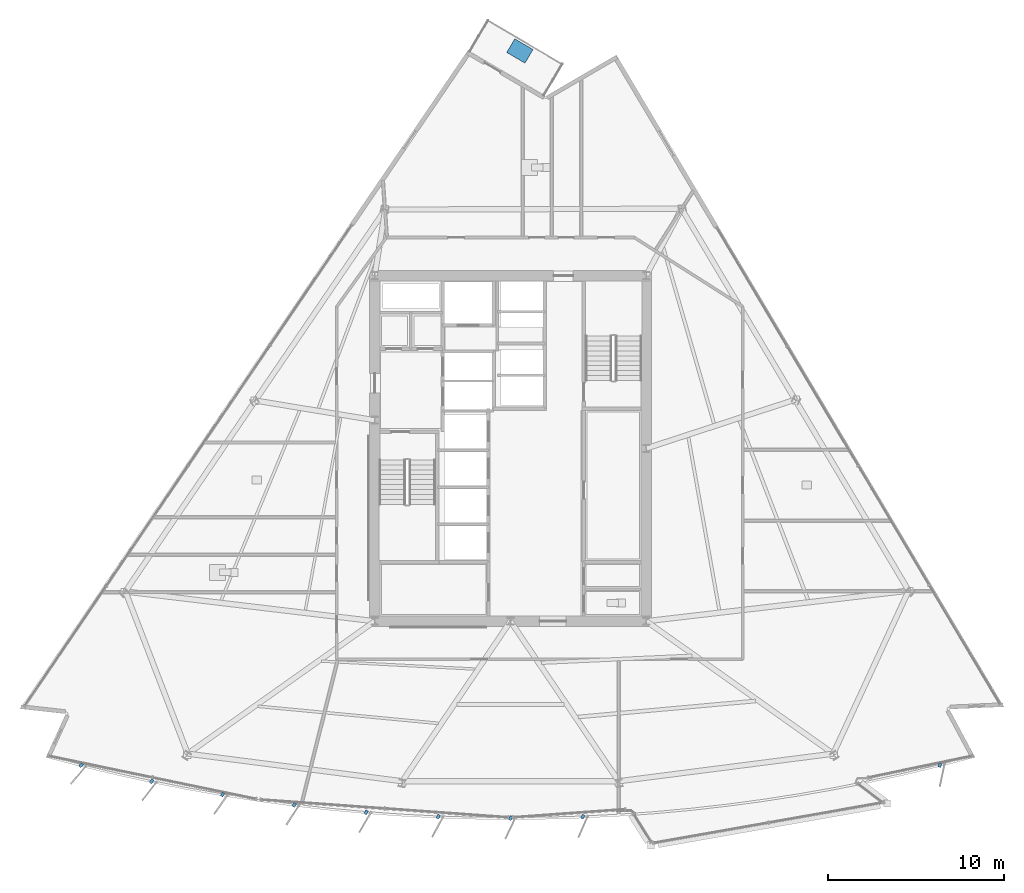
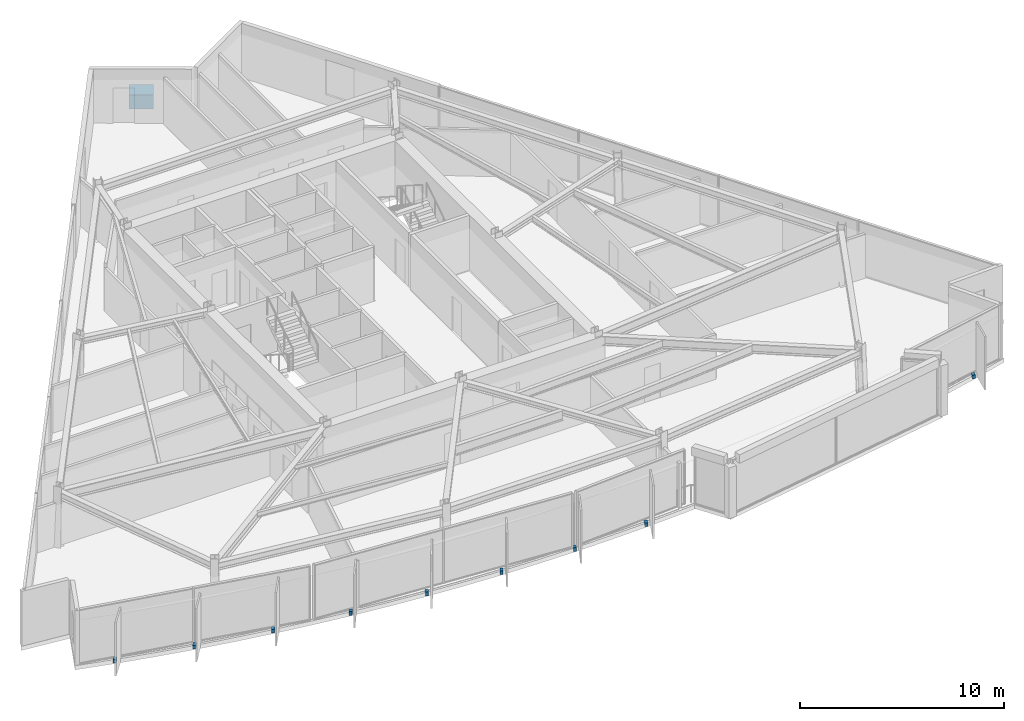
# One storey, part 10 of 15: 10 discrete accessories.
"""IFC4 building model written with IfcOpenShell, lengths in metres."""

from ifc_helpers import new_model, si_unit, direction, frame, origin, origin_2d, place, context, subcontext, project, spatial, rectangle, extrude, material, type_object, element, save


model = new_model("IFC4")

# Units and contexts
model_context = context("Model", 3, precision=1e-05, world=origin(), true_north=direction((0.0, 1.0)))
body_context = subcontext(model_context, "Body", "Model", "MODEL_VIEW")
ifc_project = project(units=[si_unit("LENGTHUNIT", "METRE"), si_unit("AREAUNIT", "SQUARE_METRE"), si_unit("VOLUMEUNIT", "CUBIC_METRE"), si_unit("PLANEANGLEUNIT", "RADIAN"), si_unit("MASSUNIT", "GRAM", prefix="KILO")], contexts=[model_context])

# Site, building, storey
site_placement = place(None, origin())
site = spatial("IfcSite", under=ifc_project, at=site_placement, CompositionType="ELEMENT")
building_placement = place(site_placement, origin())
building = spatial("IfcBuilding", under=site, at=building_placement, Name="Savorim Split Tower", CompositionType="ELEMENT")
storey_placement = place(building_placement, frame((0.0, 0.0, 125.699951171875)))
storey = spatial("IfcBuildingStorey", under=building, at=storey_placement, Name="L33", CompositionType="ELEMENT", Elevation=125.699951171875)

# Discrete accessories
ifc_material_1 = material(Name="Steel S355", Category="steel")
discrete_accessory_type_1 = type_object("IfcDiscreteAccessoryType", Name="ACC-BRK-FIN", PredefinedType="BRACKET", material=ifc_material_1)
for number, where, z_axis, x_axis, name in (
    (1, (-24.35107421875, -17.566162109375, -0.18994140625), (0.0, 0.0, 1.0), (-0.643719022682, -0.765261928909, 0.0), "L33 Fin Slab-Edge Cleat Bracket 01"),
    (2, (-20.355224609375, -18.481201171875, -0.18994140625), (0.0, 0.0, 1.0), (-0.611868076908, -0.790959832394, 0.0), "L33 Fin Slab-Edge Cleat Bracket 02"),
    (3, (-16.3251953125, -19.23193359375, -0.18994140625), (0.0, 0.0, 1.0), (-0.578993757737, -0.815331974414, 0.0), "L33 Fin Slab-Edge Cleat Bracket 03"),
    (4, (-12.267822265625, -19.817138671875, -0.18994140625), (0.0, 0.0, 1.0), (-0.545148321708, -0.838339613366, 0.0), "L33 Fin Slab-Edge Cleat Bracket 04"),
    (5, (-8.18994140625, -20.23583984375, -0.18994140625), (0.0, 0.0, 1.0), (-0.510391336723, -0.859942255851, 0.0), "L33 Fin Slab-Edge Cleat Bracket 05"),
    (6, (-4.098388671875, -20.4873046875, -0.18994140625), (0.0, 0.0, 1.0), (-0.474778051978, -0.880105562623, 0.0), "L33 Fin Slab-Edge Cleat Bracket 06"),
    (7, (0.0, -20.5712890625, -0.18994140625), (0.0, 0.0, 1.0), (-0.438371146789, -0.898794046299, 0.0), "L33 Fin Slab-Edge Cleat Bracket 07"),
    (8, (4.098388671875, -20.4873046875, -0.18994140625), (0.0, 0.0, 1.0), (-0.401230091723, -0.915977299662, 0.0), "L33 Fin Slab-Edge Cleat Bracket 08"),
    (9, (24.35107421875, -17.566162109375, -0.18994140625), (0.0, 0.0, 1.0), (-0.206721626106, -0.978399800337, 0.0), "L33 Fin Slab-Edge Cleat Bracket 13"),
):
    element("IfcDiscreteAccessory", number, at=place(storey_placement, frame(where, z_axis=z_axis, x_axis=x_axis)), inside=storey, type_object=discrete_accessory_type_1, Name=name, PredefinedType="BRACKET", context=body_context, shape_type="SweptSolid", body=[
        extrude(rectangle(XDim=0.239990234375, YDim=0.159912109375, at=origin_2d()), origin(), (0.0, 0.0, 1.0), 0.219970703125),
    ])
ifc_material_2 = material(Name="Architectural Precast Planter Concrete C40/50", Category="concrete")
discrete_accessory_type_2 = type_object("IfcDiscreteAccessoryType", Name="ACC-PLN-TREE", PredefinedType="USERDEFINED", material=ifc_material_2)
discrete_accessory_placement = place(storey_placement, frame((0.531982421875, 22.939208984375, 0.0), z_axis=(0.0, 0.0, 1.0), x_axis=(-0.862129230606, 0.506688454313, 0.0)))
element("IfcDiscreteAccessory", 10, at=discrete_accessory_placement, inside=storey, type_object=discrete_accessory_type_2, Name="L33 Balcony Precast Tree Planter N", ObjectType="PLANTER", PredefinedType="USERDEFINED", context=body_context, shape_type="SweptSolid", body=[
    extrude(rectangle(XDim=1.199951171875, YDim=0.89990234375, at=origin_2d()), origin(), (0.0, 0.0, 1.0), 0.85009765625),
])

save(model, "model.ifc")
